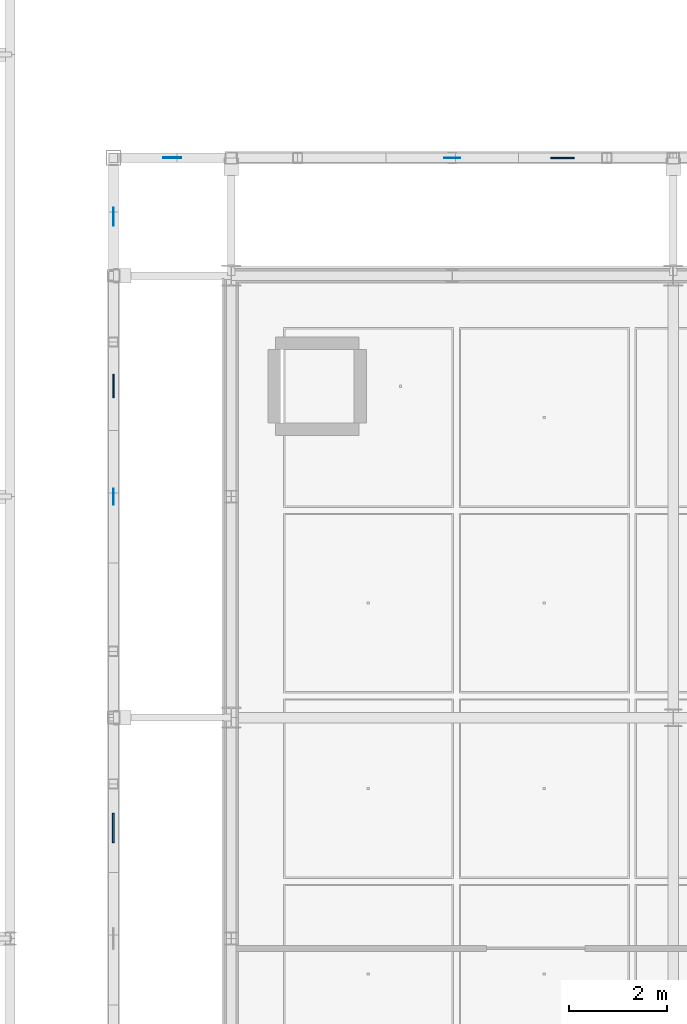
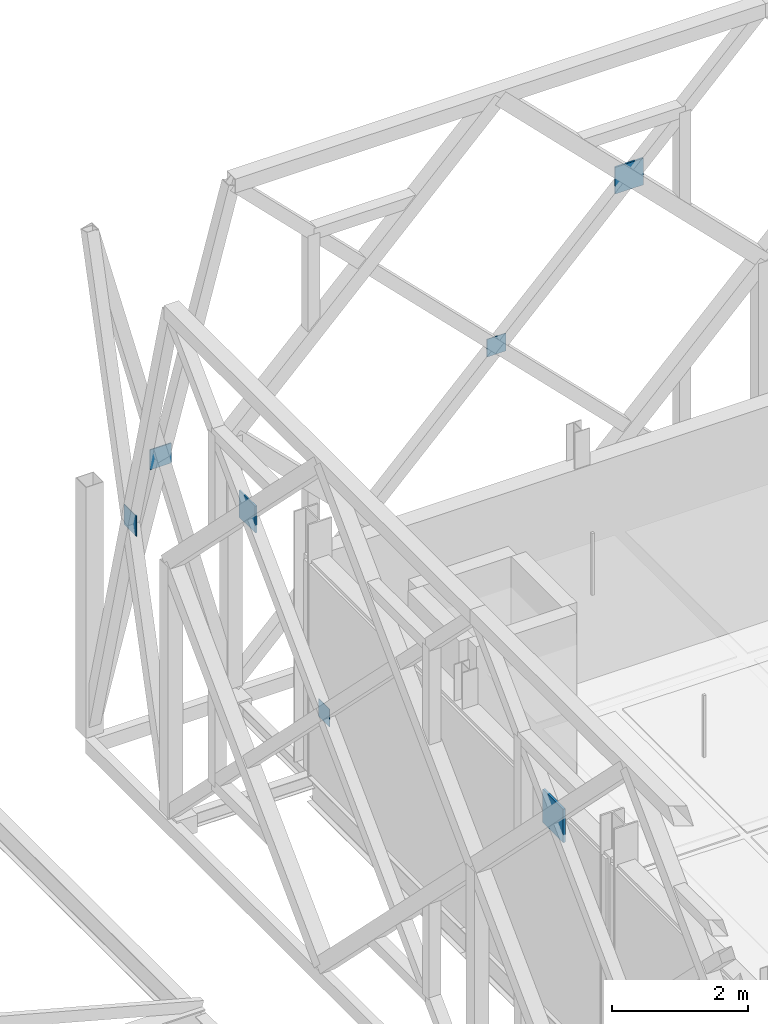
# One storey, part 80 of 140: 7 plates.
"""IFC4 building model written with IfcOpenShell, lengths in metres."""

from ifc_helpers import new_model, si_unit, direction, frame, origin, origin_2d, place, context, subcontext, project, spatial, rectangle, extrude, material, layer, layer_set, type_object, element, save


model = new_model("IFC4")

# Units and contexts
model_context = context("Model", 3, precision=1e-05, world=origin(), true_north=direction((0.0, 1.0)))
body_context = subcontext(model_context, "Body", "Model", "MODEL_VIEW")
ifc_project = project(units=[si_unit("LENGTHUNIT", "METRE"), si_unit("AREAUNIT", "SQUARE_METRE"), si_unit("VOLUMEUNIT", "CUBIC_METRE"), si_unit("PLANEANGLEUNIT", "RADIAN"), si_unit("MASSUNIT", "GRAM", prefix="KILO"), si_unit("THERMODYNAMICTEMPERATUREUNIT", "KELVIN"), si_unit("POWERUNIT", "WATT")], contexts=[model_context])

# Site, building, storey
site_placement = place(None, origin())
site = spatial("IfcSite", under=ifc_project, at=site_placement, CompositionType="ELEMENT")
building_placement = place(site_placement, origin())
building = spatial("IfcBuilding", under=site, at=building_placement, Name="Tallowbark Science Centre", CompositionType="ELEMENT")
storey_placement = place(building_placement, frame((0.0, 0.0, 9.89990234375)))
storey = spatial("IfcBuildingStorey", under=building, at=storey_placement, Name="L02", CompositionType="ELEMENT", Elevation=9.89990234375)

# Plates
ifc_material = material(Name="Structural Steel Grade 300PLUS (300 MPa)", Category="steel")
ifc_layer_1 = layer(ifc_material, 0.011962890625)
ifc_layer_set_1 = layer_set([ifc_layer_1], Name="Structural Steel Grade 300PLUS (300 MPa)")
plate_type_1 = type_object("IfcPlateType", Name="PLT-GUS-12", PredefinedType="SHEET", material=ifc_layer_set_1)
for number, where, z_axis, x_axis, name in (
    (1, (63.0, 42.89990234375, 4.33984375), (0.0, 0.0, 1.0), (1.0, 0.0, 0.0), "Star X-Brace Crossing Gusset Plate N-18"),
    (2, (56.10009765625, 36.0, 4.33984375), (0.0, 0.0, 1.0), (0.0, 1.0, 0.0), "Star X-Brace Crossing Gusset Plate W-34"),
):
    element("IfcPlate", number, at=place(storey_placement, frame(where, z_axis=z_axis, x_axis=x_axis)), inside=storey, type_object=plate_type_1, Name=name, PredefinedType="SHEET", context=body_context, shape_type="SweptSolid", body=[
        extrude(rectangle(XDim=0.320068359375, YDim=0.011962890625, at=origin_2d()), origin(), (0.0, 0.0, 1.0), 0.320068359375),
    ])
ifc_layer_2 = layer(ifc_material, 0.01611328125)
ifc_layer_set_2 = layer_set([ifc_layer_2], Name="Structural Steel Grade 300PLUS (300 MPa)")
plate_type_2 = type_object("IfcPlateType", Name="PLT-GUS-16", PredefinedType="SHEET", material=ifc_layer_set_2)
for number, where, z_axis, x_axis, name in (
    (3, (57.300048828125, 42.89990234375, 4.31982421875), (0.0, 0.0, 1.0), (1.0, 0.0, 0.0), "Star Screen Corner X-Brace Gusset NWX-L02"),
    (4, (56.10009765625, 41.699951171875, 4.31982421875), (0.0, 0.0, 1.0), (0.0, 1.0, 0.0), "Star Screen Corner X-Brace Gusset NWY-L02"),
):
    element("IfcPlate", number, at=place(storey_placement, frame(where, z_axis=z_axis, x_axis=x_axis)), inside=storey, type_object=plate_type_2, Name=name, PredefinedType="SHEET", context=body_context, shape_type="SweptSolid", body=[
        extrude(rectangle(XDim=0.360107421875, YDim=0.01611328125, at=origin_2d()), origin(), (0.0, 0.0, 1.0), 0.360107421875),
    ])
ifc_layer_3 = layer(ifc_material, 0.028076171875)
ifc_layer_set_3 = layer_set([ifc_layer_3], Name="Structural Steel Grade 300PLUS (300 MPa)")
plate_type_3 = type_object("IfcPlateType", Name="PLT-GUS-28", PredefinedType="SHEET", material=ifc_layer_set_3)
for number, where, z_axis, x_axis, name in (
    (5, (65.25, 42.89990234375, 6.510009765625), (0.0, 0.0, 1.0), (1.0, 0.0, 0.0), "Star Primary Chord Crossing Gusset Plate N-18"),
    (6, (56.10009765625, 38.25, 6.510009765625), (0.0, 0.0, 1.0), (0.0, 1.0, 0.0), "Star Primary Chord Crossing Gusset Plate W-34"),
):
    element("IfcPlate", number, at=place(storey_placement, frame(where, z_axis=z_axis, x_axis=x_axis)), inside=storey, type_object=plate_type_3, Name=name, PredefinedType="SHEET", context=body_context, shape_type="SweptSolid", body=[
        extrude(rectangle(XDim=0.47998046875, YDim=0.028076171875, at=origin_2d()), origin(), (0.0, 0.0, 1.0), 0.47998046875),
    ])
ifc_layer_4 = layer(ifc_material, 0.0400390625)
ifc_layer_set_4 = layer_set([ifc_layer_4], Name="Structural Steel Grade 300PLUS (300 MPa)")
plate_type_4 = type_object("IfcPlateType", Name="PLT-GUS-40", PredefinedType="SHEET", material=ifc_layer_set_4)
plate_placement = place(storey_placement, frame((56.10009765625, 29.25, 6.449951171875), z_axis=(0.0, 0.0, 1.0), x_axis=(0.0, 1.0, 0.0)))
element("IfcPlate", 7, at=plate_placement, inside=storey, type_object=plate_type_4, Name="Star Primary Chord Crossing Gusset Plate W-32", PredefinedType="SHEET", context=body_context, shape_type="SweptSolid", body=[
    extrude(rectangle(XDim=0.60009765625, YDim=0.0400390625, at=origin_2d()), origin(), (0.0, 0.0, 1.0), 0.60009765625),
])

save(model, "model.ifc")
